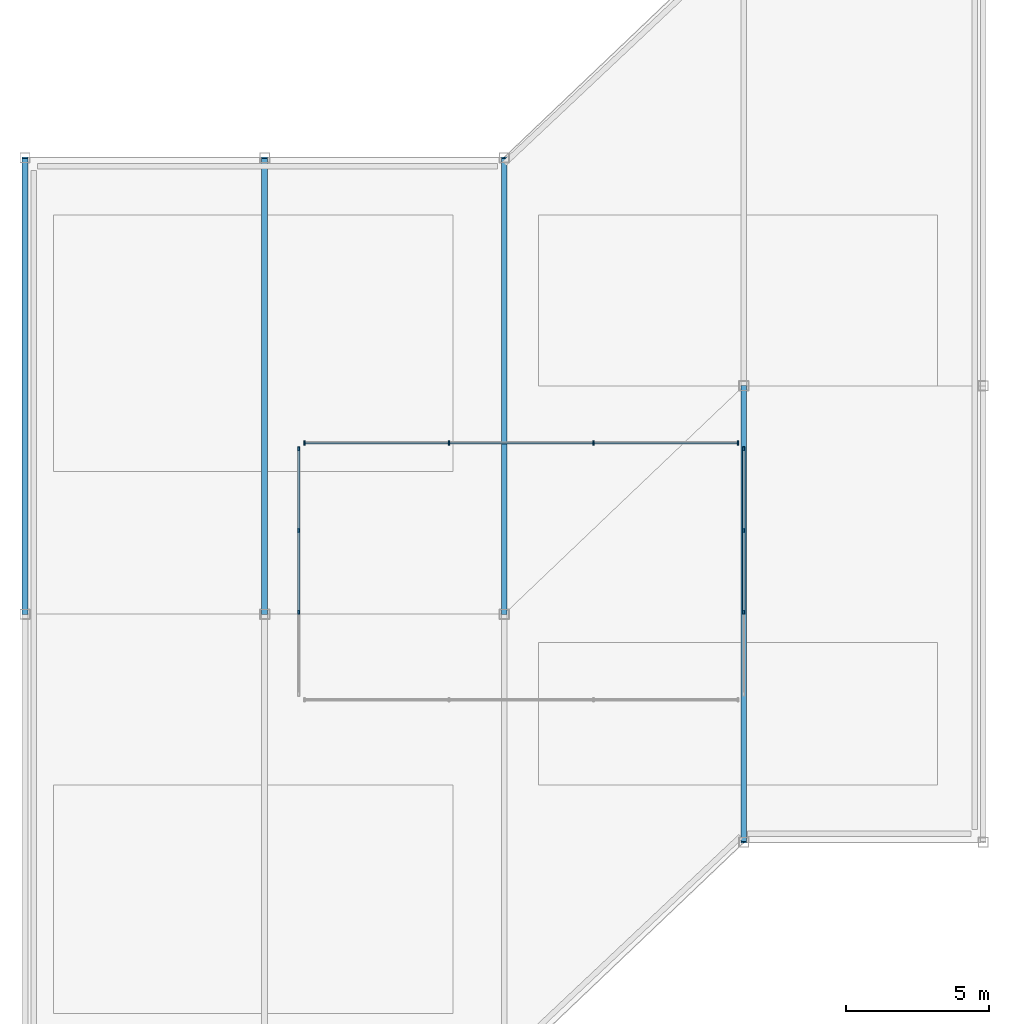
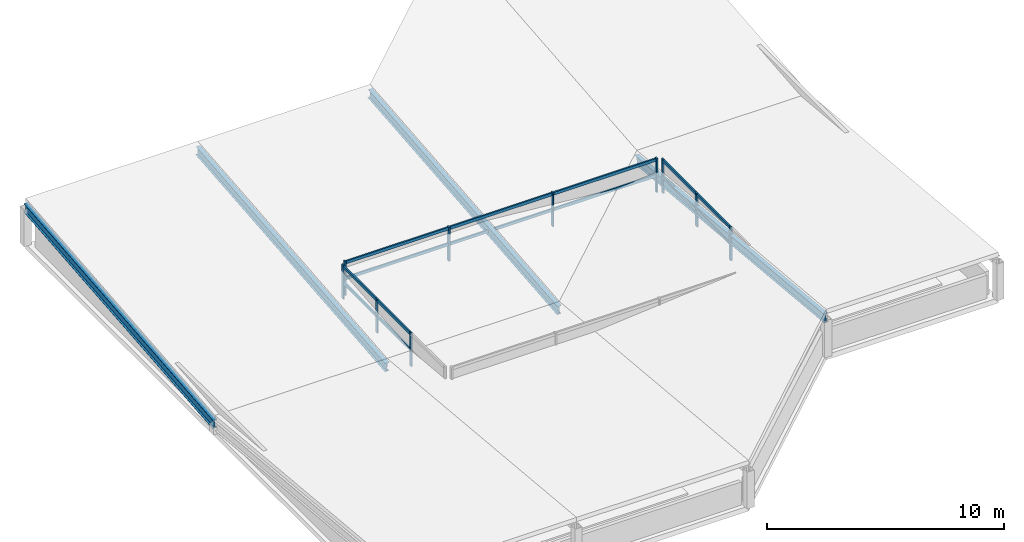
# One storey, part 3 of 5: 28 members, 3 elements without a shape of their own.
"""IFC4 building model written with IfcOpenShell, lengths in metres."""

from ifc_helpers import new_model, si_unit, direction, frame, origin, origin_2d, place, context, subcontext, project, spatial, rectangle, i_section, extrude, material, layer, layer_set, material_profile, profile_set, type_object, element, aggregate, save


model = new_model("IFC4")

# Units and contexts
model_context = context("Model", 3, precision=1e-05, world=origin(), true_north=direction((0.0, 1.0)))
body_context = subcontext(model_context, "Body", "Model", "MODEL_VIEW")
ifc_project = project(units=[si_unit("LENGTHUNIT", "METRE"), si_unit("AREAUNIT", "SQUARE_METRE"), si_unit("VOLUMEUNIT", "CUBIC_METRE"), si_unit("PLANEANGLEUNIT", "RADIAN"), si_unit("MASSUNIT", "GRAM", prefix="KILO")], contexts=[model_context])

# Site, building, storey
site_placement = place(None, origin())
site = spatial("IfcSite", under=ifc_project, at=site_placement, CompositionType="ELEMENT")
building_placement = place(site_placement, origin())
building = spatial("IfcBuilding", under=site, at=building_placement, Name="Naruveol Harbour Congress Hotel", CompositionType="ELEMENT")
storey_placement = place(building_placement, frame((0.0, 0.0, 51.60009765625)))
storey = spatial("IfcBuildingStorey", under=building, at=storey_placement, Name="RF", CompositionType="ELEMENT", Elevation=51.60009765625)

# Members
ifc_material_1 = material(Name="Steel SN490", Category="steel")
ifc_material_profile_1 = material_profile(ifc_material_1, i_section(OverallWidth=0.199951171875, OverallDepth=0.449951171875, WebThickness=0.009033203125, FlangeThickness=0.013916015625, at=origin_2d()), Name="H-450x200x9x14")
ifc_profile_set_1 = profile_set([ifc_material_profile_1], Name="Steel SN490")
member_type_1 = type_object("IfcMemberType", Name="STEEL BUTTERFLY CROWN RAFTER H450", PredefinedType="RAFTER", material=ifc_profile_set_1)
for number, where, z_axis, x_axis, name in (
    (1, (126.0, 16.0, 0.39990234375), (0.0, 0.995634226059, 0.093340708693), (-1.0, 0.0, 0.0), "Butterfly crown north rafter S1"),
    (2, (134.39990234375, 16.0, 0.39990234375), (0.0, 0.995634226059, 0.093340708693), (-1.0, 0.0, 0.0), "Butterfly crown north rafter S2"),
    (3, (142.800048828125, 16.0, 0.39990234375), (0.0, 0.995634226059, 0.093340708693), (-1.0, 0.0, 0.0), "Butterfly crown north rafter S3"),
    (4, (151.199951171875, 24.0, 0.39990234375), (0.0, -0.995634226059, 0.093340708693), (1.0, 0.0, 0.0), "Butterfly crown south rafter S4"),
):
    element("IfcMember", number, at=place(storey_placement, frame(where, z_axis=z_axis, x_axis=x_axis)), inside=storey, type_object=member_type_1, Name=name, PredefinedType="RAFTER", context=body_context, shape_type="SweptSolid", body=[
        extrude(i_section(OverallWidth=0.199951171875, OverallDepth=0.449951171875, WebThickness=0.009033203125, FlangeThickness=0.013916015625, at=origin_2d()), origin(), (0.0, 0.0, 1.0), 16.070068359375),
    ])

# Curtain wall, members
ifc_material_2 = material(Name="Low-E Curtain Wall System", Category="glass")
ifc_layer_1 = layer(ifc_material_2, 0.179931640625)
ifc_layer_set_1 = layer_set([ifc_layer_1], Name="Low-E Curtain Wall System")
curtain_wall_type_1 = type_object("IfcCurtainWallType", Name="UNITISED CURTAIN WALL CW-RFP-59 8600X1750", PredefinedType="USERDEFINED", material=ifc_layer_set_1)
curtain_wall_1_placement = place(storey_placement, origin())
curtain_wall_1 = element("IfcCurtainWall", 5, at=curtain_wall_1_placement, inside=storey, type_object=curtain_wall_type_1, Name="Unitised curtain wall CW-RFP-59 RF", ObjectType="UNITISED GLAZING", PredefinedType="USERDEFINED")
ifc_material_3 = material(Name="Anodised Aluminium 6063-T6", Category="aluminium")
ifc_material_profile_2 = material_profile(ifc_material_3, rectangle(XDim=0.06494140625, YDim=0.14990234375, at=origin_2d()), Name="ALU-65x150")
ifc_profile_set_2 = profile_set([ifc_material_profile_2], Name="Anodised Aluminium 6063-T6")
member_type_2 = type_object("IfcMemberType", Name="THERMAL ALUMINIUM MULLION 65X150", PredefinedType="MULLION", material=ifc_profile_set_2)
member_1_placement = place(storey_placement, frame((135.60009765625, 16.066650390625, 0.0), z_axis=(0.0, 0.0, 1.0), x_axis=(1.0, 0.0, 0.0)))
member_1 = element("IfcMember", 6, at=member_1_placement, type_object=member_type_2, Name="Curtain wall mullion CW-RF-0156-M1", PredefinedType="MULLION", context=body_context, shape_type="SweptSolid", body=[
    extrude(rectangle(XDim=0.06494140625, YDim=0.14990234375, at=origin_2d()), origin(), (0.0, 0.0, 1.0), 1.75),
])
member_2_placement = place(storey_placement, frame((135.60009765625, 18.933349609375, 0.0), z_axis=(0.0, 0.0, 1.0), x_axis=(1.0, 0.0, 0.0)))
member_2 = element("IfcMember", 7, at=member_2_placement, type_object=member_type_2, Name="Curtain wall mullion CW-RF-0156-M2", PredefinedType="MULLION", context=body_context, shape_type="SweptSolid", body=[
    extrude(rectangle(XDim=0.06494140625, YDim=0.14990234375, at=origin_2d()), origin(), (0.0, 0.0, 1.0), 1.75),
])
member_3_placement = place(storey_placement, frame((135.60009765625, 21.800048828125, 0.0), z_axis=(0.0, 0.0, 1.0), x_axis=(1.0, 0.0, 0.0)))
member_3 = element("IfcMember", 8, at=member_3_placement, type_object=member_type_2, Name="Curtain wall mullion CW-RF-0156-M3", PredefinedType="MULLION", context=body_context, shape_type="SweptSolid", body=[
    extrude(rectangle(XDim=0.06494140625, YDim=0.14990234375, at=origin_2d()), origin(), (0.0, 0.0, 1.0), 1.75),
])

ifc_material_4 = material(Name="Low-E Curtain Wall System", Category="glass")
ifc_layer_2 = layer(ifc_material_4, 0.179931640625)
ifc_layer_set_2 = layer_set([ifc_layer_2], Name="Low-E Curtain Wall System")
curtain_wall_type_2 = type_object("IfcCurtainWallType", Name="UNITISED CURTAIN WALL CW-RFP-58 15200X1750", PredefinedType="USERDEFINED", material=ifc_layer_set_2)
curtain_wall_2_placement = place(storey_placement, origin())
curtain_wall_2 = element("IfcCurtainWall", 9, at=curtain_wall_2_placement, inside=storey, type_object=curtain_wall_type_2, Name="Unitised curtain wall CW-RFP-58 RF", ObjectType="UNITISED GLAZING", PredefinedType="USERDEFINED")
member_4_placement = place(storey_placement, frame((135.800048828125, 22.0, 0.0), z_axis=(0.0, 0.0, 1.0), x_axis=(1.0, 0.0, 0.0)))
member_4 = element("IfcMember", 10, at=member_4_placement, type_object=member_type_2, Name="Curtain wall mullion CW-RF-0157-M0", PredefinedType="MULLION", context=body_context, shape_type="SweptSolid", body=[
    extrude(rectangle(XDim=0.06494140625, YDim=0.14990234375, at=origin_2d()), origin(), (0.0, 0.0, 1.0), 1.75),
])
member_5_placement = place(storey_placement, frame((140.86669921875, 22.0, 0.0), z_axis=(0.0, 0.0, 1.0), x_axis=(1.0, 0.0, 0.0)))
member_5 = element("IfcMember", 11, at=member_5_placement, type_object=member_type_2, Name="Curtain wall mullion CW-RF-0157-M1", PredefinedType="MULLION", context=body_context, shape_type="SweptSolid", body=[
    extrude(rectangle(XDim=0.06494140625, YDim=0.14990234375, at=origin_2d()), origin(), (0.0, 0.0, 1.0), 1.75),
])
member_6_placement = place(storey_placement, frame((145.933349609375, 22.0, 0.0), z_axis=(0.0, 0.0, 1.0), x_axis=(1.0, 0.0, 0.0)))
member_6 = element("IfcMember", 12, at=member_6_placement, type_object=member_type_2, Name="Curtain wall mullion CW-RF-0157-M2", PredefinedType="MULLION", context=body_context, shape_type="SweptSolid", body=[
    extrude(rectangle(XDim=0.06494140625, YDim=0.14990234375, at=origin_2d()), origin(), (0.0, 0.0, 1.0), 1.75),
])
member_7_placement = place(storey_placement, frame((151.0, 22.0, 0.0), z_axis=(0.0, 0.0, 1.0), x_axis=(1.0, 0.0, 0.0)))
member_7 = element("IfcMember", 13, at=member_7_placement, type_object=member_type_2, Name="Curtain wall mullion CW-RF-0157-M3", PredefinedType="MULLION", context=body_context, shape_type="SweptSolid", body=[
    extrude(rectangle(XDim=0.06494140625, YDim=0.14990234375, at=origin_2d()), origin(), (0.0, 0.0, 1.0), 1.75),
])

curtain_wall_3_placement = place(storey_placement, origin())
curtain_wall_3 = element("IfcCurtainWall", 14, at=curtain_wall_3_placement, inside=storey, type_object=curtain_wall_type_1, Name="Unitised curtain wall CW-RFP-59 RF", ObjectType="UNITISED GLAZING", PredefinedType="USERDEFINED")
member_8_placement = place(storey_placement, frame((151.199951171875, 21.800048828125, 0.0), z_axis=(0.0, 0.0, 1.0), x_axis=(1.0, 0.0, 0.0)))
member_8 = element("IfcMember", 15, at=member_8_placement, type_object=member_type_2, Name="Curtain wall mullion CW-RF-0158-M0", PredefinedType="MULLION", context=body_context, shape_type="SweptSolid", body=[
    extrude(rectangle(XDim=0.06494140625, YDim=0.14990234375, at=origin_2d()), origin(), (0.0, 0.0, 1.0), 1.75),
])
member_9_placement = place(storey_placement, frame((151.199951171875, 18.933349609375, 0.0), z_axis=(0.0, 0.0, 1.0), x_axis=(1.0, 0.0, 0.0)))
member_9 = element("IfcMember", 16, at=member_9_placement, type_object=member_type_2, Name="Curtain wall mullion CW-RF-0158-M1", PredefinedType="MULLION", context=body_context, shape_type="SweptSolid", body=[
    extrude(rectangle(XDim=0.06494140625, YDim=0.14990234375, at=origin_2d()), origin(), (0.0, 0.0, 1.0), 1.75),
])
member_10_placement = place(storey_placement, frame((151.199951171875, 16.066650390625, 0.0), z_axis=(0.0, 0.0, 1.0), x_axis=(1.0, 0.0, 0.0)))
member_10 = element("IfcMember", 17, at=member_10_placement, type_object=member_type_2, Name="Curtain wall mullion CW-RF-0158-M2", PredefinedType="MULLION", context=body_context, shape_type="SweptSolid", body=[
    extrude(rectangle(XDim=0.06494140625, YDim=0.14990234375, at=origin_2d()), origin(), (0.0, 0.0, 1.0), 1.75),
])

# Member
ifc_material_5 = material(Name="Anodised Aluminium 6063-T6", Category="aluminium")
ifc_material_profile_3 = material_profile(ifc_material_5, rectangle(XDim=0.074951171875, YDim=0.14990234375, at=origin_2d()), Name="ALU-75x150")
ifc_profile_set_3 = profile_set([ifc_material_profile_3], Name="Anodised Aluminium 6063-T6")
member_type_3 = type_object("IfcMemberType", Name="THERMAL ALUMINIUM TRANSOM 75X150", PredefinedType="USERDEFINED", material=ifc_profile_set_3)
member_11_placement = place(storey_placement, frame((135.60009765625, 16.106689453125, 0.849853515625), z_axis=(0.0, 1.0, 0.0), x_axis=(-1.0, 0.0, 0.0)))
member_11 = element("IfcMember", 18, at=member_11_placement, type_object=member_type_3, Name="Curtain wall transom CW-RF-0156-T1.1", ObjectType="TRANSOM", PredefinedType="USERDEFINED", context=body_context, shape_type="SweptSolid", body=[
    extrude(rectangle(XDim=0.074951171875, YDim=0.14990234375, at=origin_2d()), origin(), (0.0, 0.0, 1.0), 2.78662109375),
])

member_12_placement = place(storey_placement, frame((135.60009765625, 16.106689453125, 1.669921875), z_axis=(0.0, 1.0, 0.0), x_axis=(-1.0, 0.0, 0.0)))
member_12 = element("IfcMember", 19, at=member_12_placement, type_object=member_type_3, Name="Curtain wall transom CW-RF-0156-T1.2", ObjectType="TRANSOM", PredefinedType="USERDEFINED", context=body_context, shape_type="SweptSolid", body=[
    extrude(rectangle(XDim=0.074951171875, YDim=0.14990234375, at=origin_2d()), origin(), (0.0, 0.0, 1.0), 2.78662109375),
])

member_13_placement = place(storey_placement, frame((135.60009765625, 18.973388671875, 0.849853515625), z_axis=(0.0, 1.0, 0.0), x_axis=(-1.0, 0.0, 0.0)))
member_13 = element("IfcMember", 20, at=member_13_placement, type_object=member_type_3, Name="Curtain wall transom CW-RF-0156-T2.1", ObjectType="TRANSOM", PredefinedType="USERDEFINED", context=body_context, shape_type="SweptSolid", body=[
    extrude(rectangle(XDim=0.074951171875, YDim=0.14990234375, at=origin_2d()), origin(), (0.0, 0.0, 1.0), 2.78662109375),
])

member_14_placement = place(storey_placement, frame((135.60009765625, 18.973388671875, 1.669921875), z_axis=(0.0, 1.0, 0.0), x_axis=(-1.0, 0.0, 0.0)))
member_14 = element("IfcMember", 21, at=member_14_placement, type_object=member_type_3, Name="Curtain wall transom CW-RF-0156-T2.2", ObjectType="TRANSOM", PredefinedType="USERDEFINED", context=body_context, shape_type="SweptSolid", body=[
    extrude(rectangle(XDim=0.074951171875, YDim=0.14990234375, at=origin_2d()), origin(), (0.0, 0.0, 1.0), 2.78662109375),
])

aggregate(curtain_wall_1, [member_1, member_2, member_3, member_11, member_12, member_13, member_14])

member_15_placement = place(storey_placement, frame((135.840087890625, 22.0, 0.849853515625), z_axis=(1.0, 0.0, 0.0), x_axis=(0.0, 1.0, 0.0)))
member_15 = element("IfcMember", 22, at=member_15_placement, type_object=member_type_3, Name="Curtain wall transom CW-RF-0157-T0.1", ObjectType="TRANSOM", PredefinedType="USERDEFINED", context=body_context, shape_type="SweptSolid", body=[
    extrude(rectangle(XDim=0.074951171875, YDim=0.14990234375, at=origin_2d()), origin(), (0.0, 0.0, 1.0), 4.986572265625),
])

member_16_placement = place(storey_placement, frame((135.840087890625, 22.0, 1.669921875), z_axis=(1.0, 0.0, 0.0), x_axis=(0.0, 1.0, 0.0)))
member_16 = element("IfcMember", 23, at=member_16_placement, type_object=member_type_3, Name="Curtain wall transom CW-RF-0157-T0.2", ObjectType="TRANSOM", PredefinedType="USERDEFINED", context=body_context, shape_type="SweptSolid", body=[
    extrude(rectangle(XDim=0.074951171875, YDim=0.14990234375, at=origin_2d()), origin(), (0.0, 0.0, 1.0), 4.986572265625),
])

member_17_placement = place(storey_placement, frame((140.90673828125, 22.0, 0.849853515625), z_axis=(1.0, 0.0, 0.0), x_axis=(0.0, 1.0, 0.0)))
member_17 = element("IfcMember", 24, at=member_17_placement, type_object=member_type_3, Name="Curtain wall transom CW-RF-0157-T1.1", ObjectType="TRANSOM", PredefinedType="USERDEFINED", context=body_context, shape_type="SweptSolid", body=[
    extrude(rectangle(XDim=0.074951171875, YDim=0.14990234375, at=origin_2d()), origin(), (0.0, 0.0, 1.0), 4.986572265625),
])

member_18_placement = place(storey_placement, frame((140.90673828125, 22.0, 1.669921875), z_axis=(1.0, 0.0, 0.0), x_axis=(0.0, 1.0, 0.0)))
member_18 = element("IfcMember", 25, at=member_18_placement, type_object=member_type_3, Name="Curtain wall transom CW-RF-0157-T1.2", ObjectType="TRANSOM", PredefinedType="USERDEFINED", context=body_context, shape_type="SweptSolid", body=[
    extrude(rectangle(XDim=0.074951171875, YDim=0.14990234375, at=origin_2d()), origin(), (0.0, 0.0, 1.0), 4.986572265625),
])

member_19_placement = place(storey_placement, frame((145.973388671875, 22.0, 0.849853515625), z_axis=(1.0, 0.0, 0.0), x_axis=(0.0, 1.0, 0.0)))
member_19 = element("IfcMember", 26, at=member_19_placement, type_object=member_type_3, Name="Curtain wall transom CW-RF-0157-T2.1", ObjectType="TRANSOM", PredefinedType="USERDEFINED", context=body_context, shape_type="SweptSolid", body=[
    extrude(rectangle(XDim=0.074951171875, YDim=0.14990234375, at=origin_2d()), origin(), (0.0, 0.0, 1.0), 4.986572265625),
])

member_20_placement = place(storey_placement, frame((145.973388671875, 22.0, 1.669921875), z_axis=(1.0, 0.0, 0.0), x_axis=(0.0, 1.0, 0.0)))
member_20 = element("IfcMember", 27, at=member_20_placement, type_object=member_type_3, Name="Curtain wall transom CW-RF-0157-T2.2", ObjectType="TRANSOM", PredefinedType="USERDEFINED", context=body_context, shape_type="SweptSolid", body=[
    extrude(rectangle(XDim=0.074951171875, YDim=0.14990234375, at=origin_2d()), origin(), (0.0, 0.0, 1.0), 4.986572265625),
])

aggregate(curtain_wall_2, [member_4, member_5, member_6, member_7, member_15, member_16, member_17, member_18, member_19, member_20])

member_21_placement = place(storey_placement, frame((151.199951171875, 21.760009765625, 0.849853515625), z_axis=(0.0, -1.0, 0.0), x_axis=(1.0, 0.0, 0.0)))
member_21 = element("IfcMember", 28, at=member_21_placement, type_object=member_type_3, Name="Curtain wall transom CW-RF-0158-T0.1", ObjectType="TRANSOM", PredefinedType="USERDEFINED", context=body_context, shape_type="SweptSolid", body=[
    extrude(rectangle(XDim=0.074951171875, YDim=0.14990234375, at=origin_2d()), origin(), (0.0, 0.0, 1.0), 2.78662109375),
])

member_22_placement = place(storey_placement, frame((151.199951171875, 21.760009765625, 1.669921875), z_axis=(0.0, -1.0, 0.0), x_axis=(1.0, 0.0, 0.0)))
member_22 = element("IfcMember", 29, at=member_22_placement, type_object=member_type_3, Name="Curtain wall transom CW-RF-0158-T0.2", ObjectType="TRANSOM", PredefinedType="USERDEFINED", context=body_context, shape_type="SweptSolid", body=[
    extrude(rectangle(XDim=0.074951171875, YDim=0.14990234375, at=origin_2d()), origin(), (0.0, 0.0, 1.0), 2.78662109375),
])

member_23_placement = place(storey_placement, frame((151.199951171875, 18.893310546875, 0.849853515625), z_axis=(0.0, -1.0, 0.0), x_axis=(1.0, 0.0, 0.0)))
member_23 = element("IfcMember", 30, at=member_23_placement, type_object=member_type_3, Name="Curtain wall transom CW-RF-0158-T1.1", ObjectType="TRANSOM", PredefinedType="USERDEFINED", context=body_context, shape_type="SweptSolid", body=[
    extrude(rectangle(XDim=0.074951171875, YDim=0.14990234375, at=origin_2d()), origin(), (0.0, 0.0, 1.0), 2.78662109375),
])

member_24_placement = place(storey_placement, frame((151.199951171875, 18.893310546875, 1.669921875), z_axis=(0.0, -1.0, 0.0), x_axis=(1.0, 0.0, 0.0)))
member_24 = element("IfcMember", 31, at=member_24_placement, type_object=member_type_3, Name="Curtain wall transom CW-RF-0158-T1.2", ObjectType="TRANSOM", PredefinedType="USERDEFINED", context=body_context, shape_type="SweptSolid", body=[
    extrude(rectangle(XDim=0.074951171875, YDim=0.14990234375, at=origin_2d()), origin(), (0.0, 0.0, 1.0), 2.78662109375),
])

aggregate(curtain_wall_3, [member_8, member_9, member_10, member_21, member_22, member_23, member_24])

save(model, "model.ifc")
